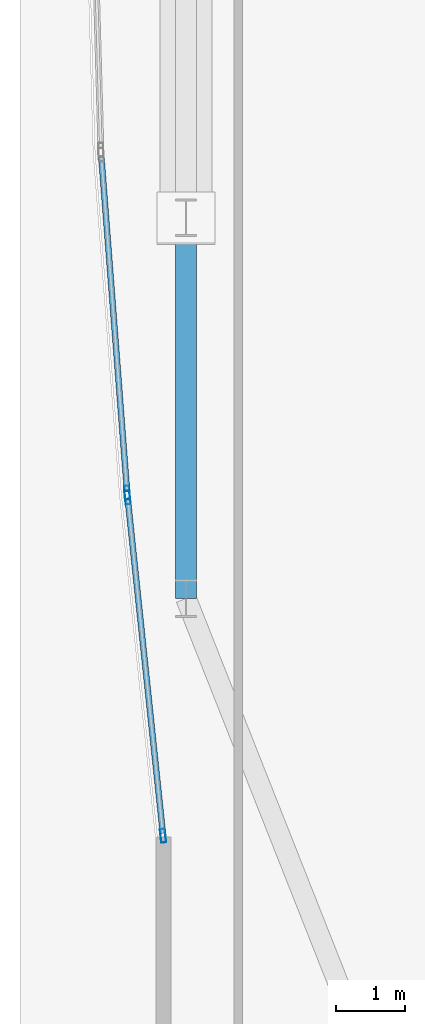
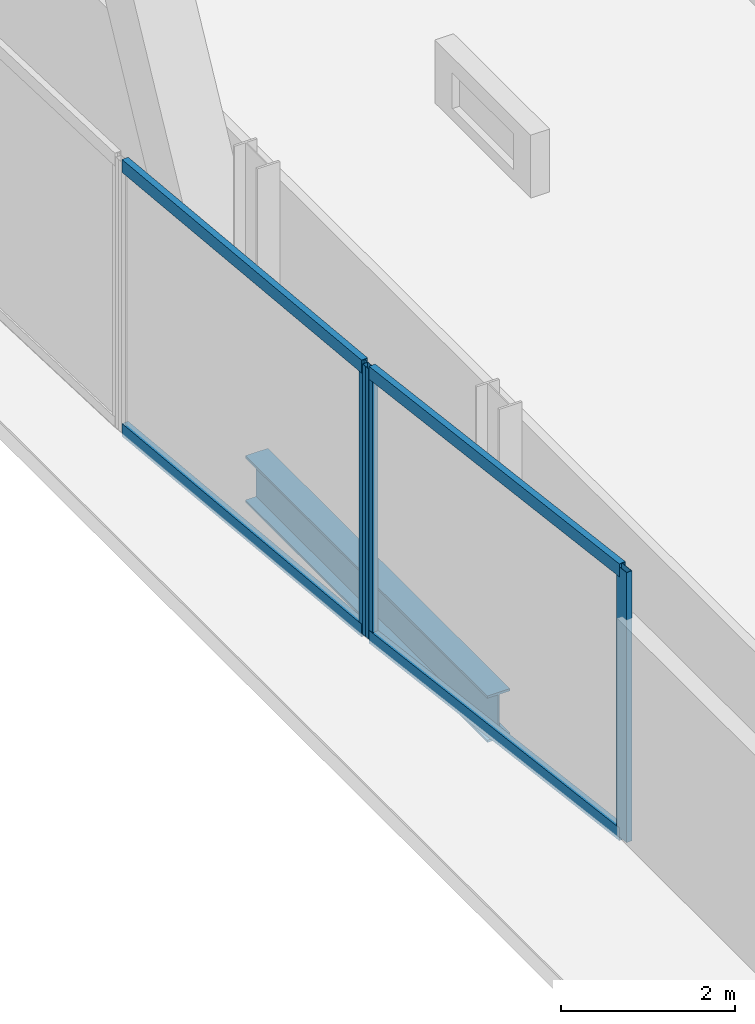
# One storey, part 6 of 32: 7 members, 1 beam, 2 elements without a shape of their own.
"""IFC4 building model written with IfcOpenShell, lengths in metres."""

from ifc_helpers import new_model, si_unit, direction, frame, origin, origin_2d, place, context, subcontext, project, spatial, hollow_rectangle, i_section, extrude, material, material_profile, profile_set, type_object, element, aggregate, save


model = new_model("IFC4")

# Units and contexts
model_context = context("Model", 3, precision=1e-05, world=origin(), true_north=direction((0.0, 1.0)))
body_context = subcontext(model_context, "Body", "Model", "MODEL_VIEW")
ifc_project = project(units=[si_unit("LENGTHUNIT", "METRE"), si_unit("AREAUNIT", "SQUARE_METRE"), si_unit("VOLUMEUNIT", "CUBIC_METRE"), si_unit("PLANEANGLEUNIT", "RADIAN"), si_unit("MASSUNIT", "GRAM", prefix="KILO")], contexts=[model_context])

# Site, building, storey
site_placement = place(None, origin())
site = spatial("IfcSite", under=ifc_project, at=site_placement, CompositionType="ELEMENT")
building_placement = place(site_placement, origin())
building = spatial("IfcBuilding", under=site, at=building_placement, Name="Khoronbel Lancet Exchange", CompositionType="ELEMENT")
storey_placement = place(building_placement, frame((0.0, 0.0, 81.800048828125)))
storey = spatial("IfcBuildingStorey", under=building, at=storey_placement, Name="L19", CompositionType="ELEMENT", Elevation=81.800048828125)

# Beam
ifc_material_1 = material(Name="Steel S355", Category="steel")
ifc_material_profile_1 = material_profile(ifc_material_1, i_section(OverallWidth=0.300048828125, OverallDepth=0.64990234375, WebThickness=0.01611328125, FlangeThickness=0.031005859375, at=origin_2d()), Name="HEB 650")
ifc_profile_set_1 = profile_set([ifc_material_profile_1], Name="Steel S355")
beam_type = type_object("IfcBeamType", Name="BM-BSP1", PredefinedType="SPANDREL", material=ifc_profile_set_1)
beam_placement = place(storey_placement, frame((3.27001953125, 24.75, -0.505126953125), z_axis=(0.0, -1.0, 0.0), x_axis=(1.0, 0.0, 0.0)))
element("IfcBeam", 1, at=beam_placement, inside=storey, type_object=beam_type, Name="Level L19 perimeter spandrel beam SP18", PredefinedType="SPANDREL", context=body_context, shape_type="SweptSolid", body=[
    extrude(i_section(OverallWidth=0.300048828125, OverallDepth=0.64990234375, WebThickness=0.01611328125, FlangeThickness=0.031005859375, at=origin_2d()), origin(), (0.0, 0.0, 1.0), 5.550048828125),
])

# Curtain wall, members
ifc_material_2 = material(Name="Low-E Solar Control Insulating Glass", Category="glass")
curtain_wall_type = type_object("IfcCurtainWallType", Name="CW-4", PredefinedType="NOTDEFINED", material=ifc_material_2)
curtain_wall_1_placement = place(storey_placement, origin())
curtain_wall_1 = element("IfcCurtainWall", 2, at=curtain_wall_1_placement, inside=storey, type_object=curtain_wall_type, Name="Unitised curtain wall CW-L19-E04", PredefinedType="NOTDEFINED")
ifc_material_3 = material(Name="Bronze-Anodised Aluminium 6063-T6", Category="aluminium")
ifc_material_profile_2 = material_profile(ifc_material_3, hollow_rectangle(XDim=0.074951171875, YDim=0.199951171875, WallThickness=0.0048828125, at=origin_2d()), Name="ALU MULLION 75x200")
ifc_profile_set_2 = profile_set([ifc_material_profile_2], Name="Bronze-Anodised Aluminium 6063-T6")
member_type_1 = type_object("IfcMemberType", Name="MEM-CWM2", PredefinedType="MULLION", material=ifc_profile_set_2)
member_1_placement = place(storey_placement, frame((2.93603515625, 15.741943359375, 0.0), z_axis=(0.0, 0.0, 1.0), x_axis=(-0.994531779003, -0.104434383958, 0.0)))
member_1 = element("IfcMember", 3, at=member_1_placement, type_object=member_type_1, Name="CW4 mullion 1", PredefinedType="MULLION", context=body_context, shape_type="SweptSolid", body=[
    extrude(hollow_rectangle(XDim=0.074951171875, YDim=0.199951171875, WallThickness=0.0048828125, at=origin_2d()), origin(), (0.0, 0.0, 1.0), 3.780029296875),
])
member_2_placement = place(storey_placement, frame((2.41845703125, 20.6708984375, 0.0), z_axis=(0.0, 0.0, 1.0), x_axis=(-0.994531779003, -0.104434383958, 0.0)))
member_2 = element("IfcMember", 4, at=member_2_placement, type_object=member_type_1, Name="CW4 mullion 2", PredefinedType="MULLION", context=body_context, shape_type="SweptSolid", body=[
    extrude(hollow_rectangle(XDim=0.074951171875, YDim=0.199951171875, WallThickness=0.0048828125, at=origin_2d()), origin(), (0.0, 0.0, 1.0), 3.780029296875),
])

# Curtain wall, member
curtain_wall_2_placement = place(storey_placement, origin())
curtain_wall_2 = element("IfcCurtainWall", 5, at=curtain_wall_2_placement, inside=storey, type_object=curtain_wall_type, Name="Unitised curtain wall CW-L19-E05", PredefinedType="NOTDEFINED")
member_3_placement = place(storey_placement, frame((2.41162109375, 20.74560546875, 0.0), z_axis=(0.0, 0.0, 1.0), x_axis=(-0.997059882555, -0.076626304874, 0.0)))
member_3 = element("IfcMember", 6, at=member_3_placement, type_object=member_type_1, Name="CW4 mullion 1", PredefinedType="MULLION", context=body_context, shape_type="SweptSolid", body=[
    extrude(hollow_rectangle(XDim=0.074951171875, YDim=0.199951171875, WallThickness=0.0048828125, at=origin_2d()), origin(), (0.0, 0.0, 1.0), 3.780029296875),
])

# Member
ifc_material_profile_3 = material_profile(ifc_material_3, hollow_rectangle(XDim=0.0849609375, YDim=0.179931640625, WallThickness=0.0048828125, at=origin_2d()), Name="ALU TRANSOM 85x180")
ifc_profile_set_3 = profile_set([ifc_material_profile_3], Name="Bronze-Anodised Aluminium 6063-T6")
member_type_2 = type_object("IfcMemberType", Name="MEM-CWT1", PredefinedType="USERDEFINED", material=ifc_profile_set_3)
member_4_placement = place(storey_placement, frame((2.93212890625, 15.779296875, 0.04248046875), z_axis=(-0.104440030005, 0.994531186104, 0.0), x_axis=(-0.994531186104, -0.104440030005, 0.0)))
member_4 = element("IfcMember", 7, at=member_4_placement, type_object=member_type_2, Name="CW4 transom 1.1", ObjectType="TRANSOM", PredefinedType="USERDEFINED", context=body_context, shape_type="SweptSolid", body=[
    extrude(hollow_rectangle(XDim=0.0849609375, YDim=0.179931640625, WallThickness=0.0048828125, at=origin_2d()), origin(), (0.0, 0.0, 1.0), 4.880859375),
])

member_5_placement = place(storey_placement, frame((2.93212890625, 15.779296875, 3.737548828125), z_axis=(-0.104440030005, 0.994531186104, 0.0), x_axis=(-0.994531186104, -0.104440030005, 0.0)))
member_5 = element("IfcMember", 8, at=member_5_placement, type_object=member_type_2, Name="CW4 transom 1.2", ObjectType="TRANSOM", PredefinedType="USERDEFINED", context=body_context, shape_type="SweptSolid", body=[
    extrude(hollow_rectangle(XDim=0.0849609375, YDim=0.179931640625, WallThickness=0.0048828125, at=origin_2d()), origin(), (0.0, 0.0, 1.0), 4.880859375),
])

aggregate(curtain_wall_1, [member_1, member_2, member_4, member_5])

member_6_placement = place(storey_placement, frame((2.408935546875, 20.782958984375, 0.04248046875), z_axis=(-0.076638891079, 0.997058915197, 0.0), x_axis=(-0.997058915197, -0.076638891079, 0.0)))
member_6 = element("IfcMember", 9, at=member_6_placement, type_object=member_type_2, Name="CW4 transom 1.1", ObjectType="TRANSOM", PredefinedType="USERDEFINED", context=body_context, shape_type="SweptSolid", body=[
    extrude(hollow_rectangle(XDim=0.0849609375, YDim=0.179931640625, WallThickness=0.0048828125, at=origin_2d()), origin(), (0.0, 0.0, 1.0), 4.861328125),
])

member_7_placement = place(storey_placement, frame((2.408935546875, 20.782958984375, 3.737548828125), z_axis=(-0.076638891079, 0.997058915197, 0.0), x_axis=(-0.997058915197, -0.076638891079, 0.0)))
member_7 = element("IfcMember", 10, at=member_7_placement, type_object=member_type_2, Name="CW4 transom 1.2", ObjectType="TRANSOM", PredefinedType="USERDEFINED", context=body_context, shape_type="SweptSolid", body=[
    extrude(hollow_rectangle(XDim=0.0849609375, YDim=0.179931640625, WallThickness=0.0048828125, at=origin_2d()), origin(), (0.0, 0.0, 1.0), 4.861328125),
])

aggregate(curtain_wall_2, [member_3, member_6, member_7])

save(model, "model.ifc")
